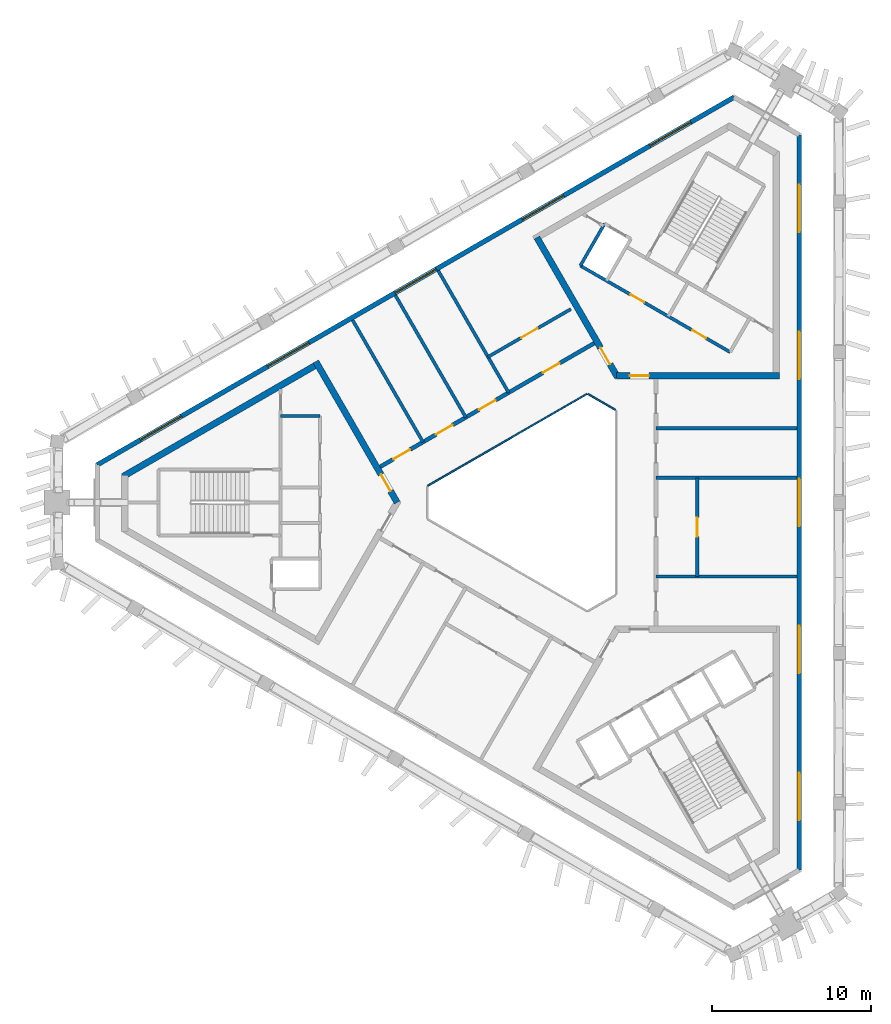
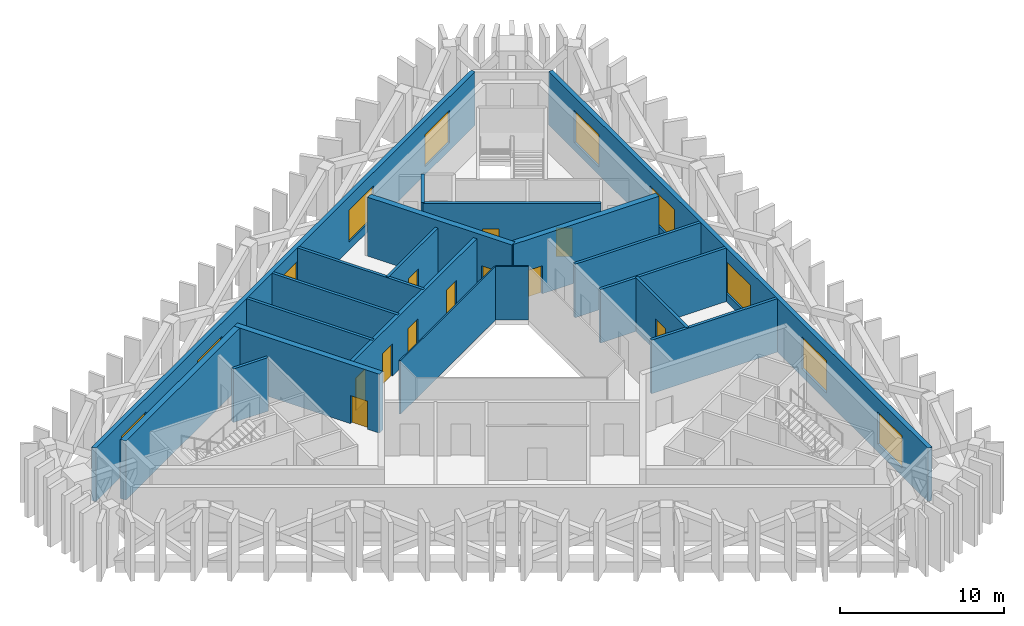
# One storey, part 5 of 8: 20 walls, 11 doors, 10 windows, 21 openings.
"""IFC4 building model written with IfcOpenShell, lengths in metres."""

from ifc_helpers import new_model, si_unit, direction, frame, frame_2d, origin, place, context, subcontext, project, spatial, rectangle, extrude, material, layer, layer_set, type_object, element, fill, save


model = new_model("IFC4")

# Units and contexts
model_context = context("Model", 3, precision=1e-05, world=origin(), true_north=direction((0.0, 1.0)))
body_context = subcontext(model_context, "Body", "Model", "MODEL_VIEW")
ifc_project = project(units=[si_unit("LENGTHUNIT", "METRE"), si_unit("AREAUNIT", "SQUARE_METRE"), si_unit("VOLUMEUNIT", "CUBIC_METRE"), si_unit("PLANEANGLEUNIT", "RADIAN"), si_unit("MASSUNIT", "GRAM", prefix="KILO")], contexts=[model_context])

# Site, building, storey
site_placement = place(None, origin())
site = spatial("IfcSite", under=ifc_project, at=site_placement, CompositionType="ELEMENT")
building_placement = place(site_placement, origin())
building = spatial("IfcBuilding", under=site, at=building_placement, Name="Jabali Bay Hotel Tower and Convention Centre", CompositionType="ELEMENT")
storey_placement = place(building_placement, frame((0.0, 0.0, 296.0)))
storey = spatial("IfcBuildingStorey", under=building, at=storey_placement, Name="L73", CompositionType="ELEMENT", Elevation=296.0)

# Walls
ifc_material_1 = material(Name="Fire-resistant glazing", Category="glass")
ifc_layer_1 = layer(ifc_material_1, 0.10009765625)
ifc_layer_set_1 = layer_set([ifc_layer_1], Name="Fire-resistant glazing")
wall_type_1 = type_object("IfcWallType", Name="Atrium glazed screen 100", PredefinedType="PARTITIONING", material=ifc_layer_set_1)
wall_1_placement = place(storey_placement, frame((79.530029296875, 85.84619140625, 0.0), z_axis=(0.0, 0.0, 1.0), x_axis=(-0.866041268327, 0.499972520799, 0.0)))
element("IfcWall", 1, at=wall_1_placement, inside=storey, type_object=wall_type_1, Name="Atrium screen 2 L73", PredefinedType="PARTITIONING", context=body_context, shape_type="SweptSolid", body=[
    extrude(rectangle(XDim=2.0, YDim=0.10009765625, at=frame_2d((1.0, 0.0))), origin(), (0.0, 0.0, 1.0), 4.0),
])
wall_2_placement = place(storey_placement, frame((77.738037109375, 86.84619140625, 0.0), z_axis=(0.0, 0.0, 1.0), x_axis=(-0.866026658274, -0.499997827154, 0.0)))
element("IfcWall", 2, at=wall_2_placement, inside=storey, type_object=wall_type_1, Name="Atrium screen 3 L73", PredefinedType="PARTITIONING", context=body_context, shape_type="SweptSolid", body=[
    extrude(rectangle(XDim=11.58837890625, YDim=0.10009765625, at=frame_2d((5.794189453125, 0.0))), origin(), (0.0, 0.0, 1.0), 4.0),
])
ifc_material_2 = material(Name="Concrete C40", Category="concrete")
ifc_layer_2 = layer(ifc_material_2, 0.199951171875)
ifc_layer_set_2 = layer_set([ifc_layer_2], Name="Concrete C40")
wall_type_2 = type_object("IfcWallType", Name="Core stair wall 200", PredefinedType="SOLIDWALL", material=ifc_layer_set_2)
wall_3_placement = place(storey_placement, frame((60.89990234375, 85.449951171875, 0.0), z_axis=(0.0, 0.0, 1.0), x_axis=(-1.0, 0.0, 0.0)))
element("IfcWall", 3, at=wall_3_placement, inside=storey, type_object=wall_type_2, Name="Core wall 0.0 L73", PredefinedType="SOLIDWALL", context=body_context, shape_type="SweptSolid", body=[
    extrude(rectangle(XDim=2.47998046875, YDim=0.199951171875, at=frame_2d((1.239990234375, 0.0))), origin(), (0.0, 0.0, 1.0), 4.0),
])
wall_4_placement = place(storey_placement, frame((77.330078125, 94.93603515625, 0.0), z_axis=(0.0, 0.0, 1.0), x_axis=(0.500038867431, 0.8660029625, 0.0)))
element("IfcWall", 4, at=wall_4_placement, inside=storey, type_object=wall_type_2, Name="Core wall 1.7 L73", PredefinedType="SOLIDWALL", context=body_context, shape_type="SweptSolid", body=[
    extrude(rectangle(XDim=3.050048828125, YDim=0.199951171875, at=frame_2d((1.52490234375, 0.0))), origin(), (0.0, 0.0, 1.0), 4.0),
])

# Wall, openings, doors
wall_5_placement = place(storey_placement, frame((86.769775390625, 89.48583984375, 0.0), z_axis=(0.0, 0.0, 1.0), x_axis=(-0.86601811187, 0.500012629753, 0.0)))
wall_5 = element("IfcWall", 5, at=wall_5_placement, inside=storey, type_object=wall_type_2, Name="Core wall 1.8 L73", PredefinedType="SOLIDWALL", context=body_context, shape_type="SweptSolid", body=[
    extrude(rectangle(XDim=10.900146484375, YDim=0.199951171875, at=frame_2d((5.4501953125, 0.0))), origin(), (0.0, 0.0, 1.0), 4.0),
])
opening_1_placement = place(wall_5_placement, frame((1.75, 0.0, 0.0)))
opening_1 = element("IfcOpeningElement", 6, at=opening_1_placement, cuts=wall_5, Name="Opening D1624", PredefinedType="OPENING", context=body_context, shape_type="SweptSolid", body=[
    extrude(rectangle(XDim=1.0, YDim=2.10009765625, at=frame_2d((0.5, 1.050048828125))), frame((0.0, 0.1103515625, 0.0), z_axis=(0.0, -1.0, 0.0), x_axis=(1.0, 0.0, 0.0)), (0.0, 0.0, 1.0), 0.220947265625),
])
opening_2_placement = place(wall_5_placement, frame((6.25, 0.0, 0.0)))
opening_2 = element("IfcOpeningElement", 7, at=opening_2_placement, cuts=wall_5, Name="Opening D1625", PredefinedType="OPENING", context=body_context, shape_type="SweptSolid", body=[
    extrude(rectangle(XDim=1.0, YDim=2.10009765625, at=frame_2d((0.5, 1.050048828125))), frame((0.0, 0.1103515625, 0.0), z_axis=(0.0, -1.0, 0.0), x_axis=(1.0, 0.0, 0.0)), (0.0, 0.0, 1.0), 0.220947265625),
])
ifc_material_3 = material(Name="Fire-rated steel door", Category="steel")
door_type_1 = type_object("IfcDoorType", Name="Core room door 1000 x 2100", OperationType="NOTDEFINED", PredefinedType="NOTDEFINED", material=ifc_material_3)
door_1_placement = place(opening_1_placement, origin())
door_1 = element("IfcDoor", 8, at=door_1_placement, inside=storey, type_object=door_type_1, Name="Core room door D1624", OperationType="SINGLE_SWING_RIGHT", OverallHeight=2.10009765625, OverallWidth=1.0, PredefinedType="NOTDEFINED", context=body_context, shape_type="SweptSolid", body=[
    extrude(rectangle(XDim=1.0, YDim=2.10009765625, at=frame_2d((0.5, 1.050048828125))), frame((0.0, 0.02490234375, 0.0), z_axis=(0.0, -1.0, 0.0), x_axis=(1.0, 0.0, 0.0)), (0.0, 0.0, 1.0), 0.050048828125),
])
fill(opening_1, door_1)
door_2_placement = place(opening_2_placement, origin())
door_2 = element("IfcDoor", 9, at=door_2_placement, inside=storey, type_object=door_type_1, Name="Core room door D1625", OperationType="SINGLE_SWING_RIGHT", OverallHeight=2.10009765625, OverallWidth=1.0, PredefinedType="NOTDEFINED", context=body_context, shape_type="SweptSolid", body=[
    extrude(rectangle(XDim=1.0, YDim=2.10009765625, at=frame_2d((0.5, 1.050048828125))), frame((0.0, 0.02490234375, 0.0), z_axis=(0.0, -1.0, 0.0), x_axis=(1.0, 0.0, 0.0)), (0.0, 0.0, 1.0), 0.050048828125),
])
fill(opening_2, door_2)

# Wall, opening, door
ifc_material_4 = material(Name="Concrete C60", Category="concrete")
ifc_layer_3 = layer(ifc_material_4, 0.39990234375)
ifc_layer_set_3 = layer_set([ifc_layer_3], Name="Concrete C60")
wall_type_3 = type_object("IfcWallType", Name="Core wall 400", PredefinedType="SHEAR", material=ifc_layer_set_3)
wall_6_placement = place(storey_placement, frame((65.76904296875, 80.0, 0.0), z_axis=(0.0, 0.0, 1.0), x_axis=(-0.50000177223, 0.866024380585, 0.0)))
wall_6 = element("IfcWall", 10, at=wall_6_placement, inside=storey, type_object=wall_type_3, Name="Core wall 1.1 L73", PredefinedType="SHEAR", context=body_context, shape_type="SweptSolid", body=[
    extrude(rectangle(XDim=10.2646484375, YDim=0.39990234375, at=frame_2d((5.13232421875, 0.0))), origin(), (0.0, 0.0, 1.0), 4.39990234375),
])
opening_3_placement = place(wall_6_placement, frame((0.83447265625, 0.0, 0.0)))
opening_3 = element("IfcOpeningElement", 11, at=opening_3_placement, cuts=wall_6, Name="Opening D1613", PredefinedType="OPENING", context=body_context, shape_type="SweptSolid", body=[
    extrude(rectangle(XDim=1.199951171875, YDim=2.10009765625, at=frame_2d((0.60009765625, 1.050048828125))), frame((0.0, 0.21044921875, 0.0), z_axis=(0.0, -1.0, 0.0), x_axis=(1.0, 0.0, 0.0)), (0.0, 0.0, 1.0), 0.4208984375),
])
door_type_2 = type_object("IfcDoorType", Name="Corridor end fire door 1200 x 2100", OperationType="NOTDEFINED", PredefinedType="NOTDEFINED", material=ifc_material_3)
door_3_placement = place(opening_3_placement, origin())
door_3 = element("IfcDoor", 12, at=door_3_placement, inside=storey, type_object=door_type_2, Name="Corridor end fire door D1613", OperationType="SINGLE_SWING_RIGHT", OverallHeight=2.10009765625, OverallWidth=1.199951171875, PredefinedType="NOTDEFINED", context=body_context, shape_type="SweptSolid", body=[
    extrude(rectangle(XDim=1.199951171875, YDim=2.10009765625, at=frame_2d((0.60009765625, 1.050048828125))), frame((0.0, 0.02490234375, 0.0), z_axis=(0.0, -1.0, 0.0), x_axis=(1.0, 0.0, 0.0)), (0.0, 0.0, 1.0), 0.050048828125),
])
fill(opening_3, door_3)

# Wall
wall_7_placement = place(storey_placement, frame((60.73681640625, 88.716064453125, 0.0), z_axis=(0.0, 0.0, 1.0), x_axis=(-0.866028812667, -0.499994095595, 0.0)))
element("IfcWall", 13, at=wall_7_placement, inside=storey, type_object=wall_type_3, Name="Core wall 1.2 L73", PredefinedType="SHEAR", context=body_context, shape_type="SweptSolid", body=[
    extrude(rectangle(XDim=14.133544921875, YDim=0.39990234375, at=frame_2d((7.06689453125, 0.0))), origin(), (0.0, 0.0, 1.0), 4.39990234375),
])

# Wall, opening, door
wall_8_placement = place(storey_placement, frame((79.615478515625, 87.994140625, 0.0), z_axis=(0.0, 0.0, 1.0), x_axis=(1.0, 0.0, 0.0)))
wall_8 = element("IfcWall", 14, at=wall_8_placement, inside=storey, type_object=wall_type_3, Name="Core wall 2.1 L73", PredefinedType="SHEAR", context=body_context, shape_type="SweptSolid", body=[
    extrude(rectangle(XDim=10.264404296875, YDim=0.39990234375, at=frame_2d((5.13232421875, 0.0))), origin(), (0.0, 0.0, 1.0), 4.39990234375),
])
opening_4_placement = place(wall_8_placement, frame((0.83447265625, 0.0, 0.0)))
opening_4 = element("IfcOpeningElement", 15, at=opening_4_placement, cuts=wall_8, Name="Opening D1622", PredefinedType="OPENING", context=body_context, shape_type="SweptSolid", body=[
    extrude(rectangle(XDim=1.199951171875, YDim=2.10009765625, at=frame_2d((0.60009765625, 1.050048828125))), frame((0.0, 0.21044921875, 0.0), z_axis=(0.0, -1.0, 0.0), x_axis=(1.0, 0.0, 0.0)), (0.0, 0.0, 1.0), 0.4208984375),
])
door_4_placement = place(opening_4_placement, origin())
door_4 = element("IfcDoor", 16, at=door_4_placement, inside=storey, type_object=door_type_2, Name="Corridor end fire door D1622", OperationType="SINGLE_SWING_RIGHT", OverallHeight=2.10009765625, OverallWidth=1.199951171875, PredefinedType="NOTDEFINED", context=body_context, shape_type="SweptSolid", body=[
    extrude(rectangle(XDim=1.199951171875, YDim=2.10009765625, at=frame_2d((0.60009765625, 1.050048828125))), frame((0.0, 0.02490234375, 0.0), z_axis=(0.0, -1.0, 0.0), x_axis=(1.0, 0.0, 0.0)), (0.0, 0.0, 1.0), 0.050048828125),
])
fill(opening_4, door_4)

wall_9_placement = place(storey_placement, frame((74.583251953125, 96.71044921875, 0.0), z_axis=(0.0, 0.0, 1.0), x_axis=(0.499987488796, -0.866032627011, 0.0)))
wall_9 = element("IfcWall", 17, at=wall_9_placement, inside=storey, type_object=wall_type_3, Name="Core wall 2.5 L73", PredefinedType="SHEAR", context=body_context, shape_type="SweptSolid", body=[
    extrude(rectangle(XDim=10.179931640625, YDim=0.39990234375, at=frame_2d((5.08984375, 0.0))), origin(), (0.0, 0.0, 1.0), 4.39990234375),
])
opening_5_placement = place(wall_9_placement, frame((8.030029296875, 0.0, 0.0)))
opening_5 = element("IfcOpeningElement", 18, at=opening_5_placement, cuts=wall_9, Name="Opening D1623", PredefinedType="OPENING", context=body_context, shape_type="SweptSolid", body=[
    extrude(rectangle(XDim=1.199951171875, YDim=2.10009765625, at=frame_2d((0.60009765625, 1.050048828125))), frame((0.0, 0.21044921875, 0.0), z_axis=(0.0, -1.0, 0.0), x_axis=(1.0, 0.0, 0.0)), (0.0, 0.0, 1.0), 0.4208984375),
])
door_5_placement = place(opening_5_placement, origin())
door_5 = element("IfcDoor", 19, at=door_5_placement, inside=storey, type_object=door_type_2, Name="Corridor end fire door D1623", OperationType="SINGLE_SWING_LEFT", OverallHeight=2.10009765625, OverallWidth=1.199951171875, PredefinedType="NOTDEFINED", context=body_context, shape_type="SweptSolid", body=[
    extrude(rectangle(XDim=1.199951171875, YDim=2.10009765625, at=frame_2d((0.60009765625, 1.050048828125))), frame((0.0, 0.02490234375, 0.0), z_axis=(0.0, -1.0, 0.0), x_axis=(1.0, 0.0, 0.0)), (0.0, 0.0, 1.0), 0.050048828125),
])
fill(opening_5, door_5)

# Wall, openings, doors
ifc_layer_4 = layer(ifc_material_4, 0.25)
ifc_layer_set_4 = layer_set([ifc_layer_4], Name="Concrete C60")
wall_type_4 = type_object("IfcWallType", Name="Corridor wall 250", PredefinedType="SHEAR", material=ifc_layer_set_4)
wall_10_placement = place(storey_placement, frame((78.199951171875, 90.0458984375, 0.0), z_axis=(0.0, 0.0, 1.0), x_axis=(-0.866026492143, -0.499998114903, 0.0)))
wall_10 = element("IfcWall", 20, at=wall_10_placement, inside=storey, type_object=wall_type_4, Name="Corridor wall 2 L73", PredefinedType="SHEAR", context=body_context, shape_type="SweptSolid", body=[
    extrude(rectangle(XDim=15.58837890625, YDim=0.25, at=frame_2d((7.794189453125, 0.0))), origin(), (0.0, 0.0, 1.0), 4.0),
])
opening_6_placement = place(wall_10_placement, frame((2.517578125, 0.0, 0.0)))
opening_6 = element("IfcOpeningElement", 21, at=opening_6_placement, cuts=wall_10, Name="Opening 7306", PredefinedType="OPENING", context=body_context, shape_type="SweptSolid", body=[
    extrude(rectangle(XDim=1.199951171875, YDim=2.39990234375, at=frame_2d((0.60009765625, 1.199951171875))), frame((0.0, 0.135498046875, 0.0), z_axis=(0.0, -1.0, 0.0), x_axis=(1.0, 0.0, 0.0)), (0.0, 0.0, 1.0), 0.27099609375),
])
opening_7_placement = place(wall_10_placement, frame((7.194091796875, 0.0, 0.0)))
opening_7 = element("IfcOpeningElement", 22, at=opening_7_placement, cuts=wall_10, Name="Opening 7308", PredefinedType="OPENING", context=body_context, shape_type="SweptSolid", body=[
    extrude(rectangle(XDim=1.199951171875, YDim=2.39990234375, at=frame_2d((0.60009765625, 1.199951171875))), frame((0.0, 0.135498046875, 0.0), z_axis=(0.0, -1.0, 0.0), x_axis=(1.0, 0.0, 0.0)), (0.0, 0.0, 1.0), 0.27099609375),
])
opening_8_placement = place(wall_10_placement, frame((10.31201171875, 0.0, 0.0)))
opening_8 = element("IfcOpeningElement", 23, at=opening_8_placement, cuts=wall_10, Name="Opening 7309", PredefinedType="OPENING", context=body_context, shape_type="SweptSolid", body=[
    extrude(rectangle(XDim=1.199951171875, YDim=2.39990234375, at=frame_2d((0.60009765625, 1.199951171875))), frame((0.0, 0.135498046875, 0.0), z_axis=(0.0, -1.0, 0.0), x_axis=(1.0, 0.0, 0.0)), (0.0, 0.0, 1.0), 0.27099609375),
])
opening_9_placement = place(wall_10_placement, frame((13.4296875, 0.0, 0.0)))
opening_9 = element("IfcOpeningElement", 24, at=opening_9_placement, cuts=wall_10, Name="Opening 7310", PredefinedType="OPENING", context=body_context, shape_type="SweptSolid", body=[
    extrude(rectangle(XDim=1.199951171875, YDim=2.39990234375, at=frame_2d((0.60009765625, 1.199951171875))), frame((0.0, 0.135498046875, 0.0), z_axis=(0.0, -1.0, 0.0), x_axis=(1.0, 0.0, 0.0)), (0.0, 0.0, 1.0), 0.27099609375),
])
ifc_material_5 = material(Name="Steel Q355B", Category="steel")
door_type_3 = type_object("IfcDoorType", Name="Plant room door 1200 x 2400", OperationType="NOTDEFINED", PredefinedType="NOTDEFINED", material=ifc_material_5)
door_6_placement = place(opening_7_placement, origin())
door_6 = element("IfcDoor", 25, at=door_6_placement, inside=storey, type_object=door_type_3, Name="Door 7308", OperationType="SINGLE_SWING_RIGHT", OverallHeight=2.39990234375, OverallWidth=1.199951171875, PredefinedType="NOTDEFINED", context=body_context, shape_type="SweptSolid", body=[
    extrude(rectangle(XDim=1.199951171875, YDim=2.39990234375, at=frame_2d((0.60009765625, 1.199951171875))), frame((0.0, 0.02490234375, 0.0), z_axis=(0.0, -1.0, 0.0), x_axis=(1.0, 0.0, 0.0)), (0.0, 0.0, 1.0), 0.050048828125),
])
fill(opening_7, door_6)
door_7_placement = place(opening_8_placement, origin())
door_7 = element("IfcDoor", 26, at=door_7_placement, inside=storey, type_object=door_type_3, Name="Door 7309", OperationType="SINGLE_SWING_RIGHT", OverallHeight=2.39990234375, OverallWidth=1.199951171875, PredefinedType="NOTDEFINED", context=body_context, shape_type="SweptSolid", body=[
    extrude(rectangle(XDim=1.199951171875, YDim=2.39990234375, at=frame_2d((0.60009765625, 1.199951171875))), frame((0.0, 0.02490234375, 0.0), z_axis=(0.0, -1.0, 0.0), x_axis=(1.0, 0.0, 0.0)), (0.0, 0.0, 1.0), 0.050048828125),
])
fill(opening_8, door_7)
door_8_placement = place(opening_9_placement, origin())
door_8 = element("IfcDoor", 27, at=door_8_placement, inside=storey, type_object=door_type_3, Name="Door 7310", OperationType="SINGLE_SWING_RIGHT", OverallHeight=2.39990234375, OverallWidth=1.199951171875, PredefinedType="NOTDEFINED", context=body_context, shape_type="SweptSolid", body=[
    extrude(rectangle(XDim=1.199951171875, YDim=2.39990234375, at=frame_2d((0.60009765625, 1.199951171875))), frame((0.0, 0.02490234375, 0.0), z_axis=(0.0, -1.0, 0.0), x_axis=(1.0, 0.0, 0.0)), (0.0, 0.0, 1.0), 0.050048828125),
])
fill(opening_9, door_8)
door_type_4 = type_object("IfcDoorType", Name="Refuge hall door 1200 x 2400", OperationType="NOTDEFINED", PredefinedType="NOTDEFINED", material=ifc_material_5)
door_9_placement = place(opening_6_placement, origin())
door_9 = element("IfcDoor", 28, at=door_9_placement, inside=storey, type_object=door_type_4, Name="Door 7306", OperationType="SINGLE_SWING_LEFT", OverallHeight=2.39990234375, OverallWidth=1.199951171875, PredefinedType="NOTDEFINED", context=body_context, shape_type="SweptSolid", body=[
    extrude(rectangle(XDim=1.199951171875, YDim=2.39990234375, at=frame_2d((0.60009765625, 1.199951171875))), frame((0.0, 0.02490234375, 0.0), z_axis=(0.0, -1.0, 0.0), x_axis=(1.0, 0.0, 0.0)), (0.0, 0.0, 1.0), 0.050048828125),
])
fill(opening_6, door_9)

# Wall, openings, windows
ifc_layer_5 = layer(ifc_material_2, 0.300048828125)
ifc_layer_set_5 = layer_set([ifc_layer_5], Name="Concrete C40")
wall_type_5 = type_object("IfcWallType", Name="External wall 300", PredefinedType="SOLIDWALL", material=ifc_layer_set_5)
wall_11_placement = place(storey_placement, frame((91.129638671875, 103.19287109375, 0.0), z_axis=(0.0, 0.0, 1.0), x_axis=(0.0, -1.0, 0.0)))
wall_11 = element("IfcWall", 29, at=wall_11_placement, inside=storey, type_object=wall_type_5, Name="External wall east face L73", PredefinedType="SOLIDWALL", context=body_context, shape_type="SweptSolid", body=[
    extrude(rectangle(XDim=46.3857421875, YDim=0.300048828125, at=frame_2d((23.19287109375, 0.0))), origin(), (0.0, 0.0, 1.0), 4.0),
])
opening_10_placement = place(wall_11_placement, frame((3.138671875, 0.0, 0.60009765625)))
opening_10 = element("IfcOpeningElement", 30, at=opening_10_placement, cuts=wall_11, Name="Opening W2", PredefinedType="OPENING", context=body_context, shape_type="SweptSolid", body=[
    extrude(rectangle(XDim=3.0, YDim=2.39990234375, at=frame_2d((1.5, 1.199951171875))), frame((0.0, 0.16064453125, 0.0), z_axis=(0.0, -1.0, 0.0), x_axis=(1.0, 0.0, 0.0)), (0.0, 0.0, 1.0), 0.321044921875),
])
opening_11_placement = place(wall_11_placement, frame((12.415771484375, 0.0, 0.60009765625)))
opening_11 = element("IfcOpeningElement", 31, at=opening_11_placement, cuts=wall_11, Name="Opening W2", PredefinedType="OPENING", context=body_context, shape_type="SweptSolid", body=[
    extrude(rectangle(XDim=3.0, YDim=2.39990234375, at=frame_2d((1.5, 1.199951171875))), frame((0.0, 0.16064453125, 0.0), z_axis=(0.0, -1.0, 0.0), x_axis=(1.0, 0.0, 0.0)), (0.0, 0.0, 1.0), 0.321044921875),
])
opening_12_placement = place(wall_11_placement, frame((21.69287109375, 0.0, 0.60009765625)))
opening_12 = element("IfcOpeningElement", 32, at=opening_12_placement, cuts=wall_11, Name="Opening W2", PredefinedType="OPENING", context=body_context, shape_type="SweptSolid", body=[
    extrude(rectangle(XDim=3.0, YDim=2.39990234375, at=frame_2d((1.5, 1.199951171875))), frame((0.0, 0.16064453125, 0.0), z_axis=(0.0, -1.0, 0.0), x_axis=(1.0, 0.0, 0.0)), (0.0, 0.0, 1.0), 0.321044921875),
])
opening_13_placement = place(wall_11_placement, frame((30.97021484375, 0.0, 0.60009765625)))
opening_13 = element("IfcOpeningElement", 33, at=opening_13_placement, cuts=wall_11, Name="Opening W2", PredefinedType="OPENING", context=body_context, shape_type="SweptSolid", body=[
    extrude(rectangle(XDim=3.0, YDim=2.39990234375, at=frame_2d((1.5, 1.199951171875))), frame((0.0, 0.16064453125, 0.0), z_axis=(0.0, -1.0, 0.0), x_axis=(1.0, 0.0, 0.0)), (0.0, 0.0, 1.0), 0.321044921875),
])
opening_14_placement = place(wall_11_placement, frame((40.247314453125, 0.0, 0.60009765625)))
opening_14 = element("IfcOpeningElement", 34, at=opening_14_placement, cuts=wall_11, Name="Opening W2", PredefinedType="OPENING", context=body_context, shape_type="SweptSolid", body=[
    extrude(rectangle(XDim=3.0, YDim=2.39990234375, at=frame_2d((1.5, 1.199951171875))), frame((0.0, 0.16064453125, 0.0), z_axis=(0.0, -1.0, 0.0), x_axis=(1.0, 0.0, 0.0)), (0.0, 0.0, 1.0), 0.321044921875),
])
ifc_material_6 = material(Name="Aluminium", Category="aluminium")
window_type = type_object("IfcWindowType", Name="Louvred ventilation panel 3000 x 2400", PartitioningType="SINGLE_PANEL", PredefinedType="WINDOW", material=ifc_material_6)
window_1_placement = place(opening_10_placement, origin())
window_1 = element("IfcWindow", 35, at=window_1_placement, inside=storey, type_object=window_type, Name="Louvred panel 1", OverallHeight=2.39990234375, OverallWidth=3.0, PartitioningType="SINGLE_PANEL", PredefinedType="WINDOW", context=body_context, shape_type="SweptSolid", body=[
    extrude(rectangle(XDim=3.0, YDim=2.39990234375, at=frame_2d((1.5, 1.199951171875))), frame((0.0, 0.030029296875, 0.0), z_axis=(0.0, -1.0, 0.0), x_axis=(1.0, 0.0, 0.0)), (0.0, 0.0, 1.0), 0.06005859375),
])
fill(opening_10, window_1)
window_2_placement = place(opening_11_placement, origin())
window_2 = element("IfcWindow", 36, at=window_2_placement, inside=storey, type_object=window_type, Name="Louvred panel 2", OverallHeight=2.39990234375, OverallWidth=3.0, PartitioningType="SINGLE_PANEL", PredefinedType="WINDOW", context=body_context, shape_type="SweptSolid", body=[
    extrude(rectangle(XDim=3.0, YDim=2.39990234375, at=frame_2d((1.5, 1.199951171875))), frame((0.0, 0.030029296875, 0.0), z_axis=(0.0, -1.0, 0.0), x_axis=(1.0, 0.0, 0.0)), (0.0, 0.0, 1.0), 0.06005859375),
])
fill(opening_11, window_2)
window_3_placement = place(opening_12_placement, origin())
window_3 = element("IfcWindow", 37, at=window_3_placement, inside=storey, type_object=window_type, Name="Louvred panel 3", OverallHeight=2.39990234375, OverallWidth=3.0, PartitioningType="SINGLE_PANEL", PredefinedType="WINDOW", context=body_context, shape_type="SweptSolid", body=[
    extrude(rectangle(XDim=3.0, YDim=2.39990234375, at=frame_2d((1.5, 1.199951171875))), frame((0.0, 0.030029296875, 0.0), z_axis=(0.0, -1.0, 0.0), x_axis=(1.0, 0.0, 0.0)), (0.0, 0.0, 1.0), 0.06005859375),
])
fill(opening_12, window_3)
window_4_placement = place(opening_13_placement, origin())
window_4 = element("IfcWindow", 38, at=window_4_placement, inside=storey, type_object=window_type, Name="Louvred panel 4", OverallHeight=2.39990234375, OverallWidth=3.0, PartitioningType="SINGLE_PANEL", PredefinedType="WINDOW", context=body_context, shape_type="SweptSolid", body=[
    extrude(rectangle(XDim=3.0, YDim=2.39990234375, at=frame_2d((1.5, 1.199951171875))), frame((0.0, 0.030029296875, 0.0), z_axis=(0.0, -1.0, 0.0), x_axis=(1.0, 0.0, 0.0)), (0.0, 0.0, 1.0), 0.06005859375),
])
fill(opening_13, window_4)
window_5_placement = place(opening_14_placement, origin())
window_5 = element("IfcWindow", 39, at=window_5_placement, inside=storey, type_object=window_type, Name="Louvred panel 5", OverallHeight=2.39990234375, OverallWidth=3.0, PartitioningType="SINGLE_PANEL", PredefinedType="WINDOW", context=body_context, shape_type="SweptSolid", body=[
    extrude(rectangle(XDim=3.0, YDim=2.39990234375, at=frame_2d((1.5, 1.199951171875))), frame((0.0, 0.030029296875, 0.0), z_axis=(0.0, -1.0, 0.0), x_axis=(1.0, 0.0, 0.0)), (0.0, 0.0, 1.0), 0.06005859375),
])
fill(opening_14, window_5)

wall_12_placement = place(storey_placement, frame((46.849365234375, 82.372314453125, 0.0), z_axis=(0.0, 0.0, 1.0), x_axis=(0.86602624246, 0.499998547369, 0.0)))
wall_12 = element("IfcWall", 40, at=wall_12_placement, inside=storey, type_object=wall_type_5, Name="External wall north-west face L73", PredefinedType="SOLIDWALL", context=body_context, shape_type="SweptSolid", body=[
    extrude(rectangle(XDim=46.385986328125, YDim=0.300048828125, at=frame_2d((23.19287109375, 0.0))), origin(), (0.0, 0.0, 1.0), 4.0),
])
opening_15_placement = place(wall_12_placement, frame((3.138671875, 0.0, 0.60009765625)))
opening_15 = element("IfcOpeningElement", 41, at=opening_15_placement, cuts=wall_12, Name="Opening W2", PredefinedType="OPENING", context=body_context, shape_type="SweptSolid", body=[
    extrude(rectangle(XDim=3.0, YDim=2.39990234375, at=frame_2d((1.5, 1.199951171875))), frame((0.0, 0.16064453125, 0.0), z_axis=(0.0, -1.0, 0.0), x_axis=(1.0, 0.0, 0.0)), (0.0, 0.0, 1.0), 0.321044921875),
])
opening_16_placement = place(wall_12_placement, frame((12.415771484375, 0.0, 0.60009765625)))
opening_16 = element("IfcOpeningElement", 42, at=opening_16_placement, cuts=wall_12, Name="Opening W2", PredefinedType="OPENING", context=body_context, shape_type="SweptSolid", body=[
    extrude(rectangle(XDim=3.0, YDim=2.39990234375, at=frame_2d((1.5, 1.199951171875))), frame((0.0, 0.16064453125, 0.0), z_axis=(0.0, -1.0, 0.0), x_axis=(1.0, 0.0, 0.0)), (0.0, 0.0, 1.0), 0.321044921875),
])
opening_17_placement = place(wall_12_placement, frame((21.69287109375, 0.0, 0.60009765625)))
opening_17 = element("IfcOpeningElement", 43, at=opening_17_placement, cuts=wall_12, Name="Opening W2", PredefinedType="OPENING", context=body_context, shape_type="SweptSolid", body=[
    extrude(rectangle(XDim=3.0, YDim=2.39990234375, at=frame_2d((1.5, 1.199951171875))), frame((0.0, 0.16064453125, 0.0), z_axis=(0.0, -1.0, 0.0), x_axis=(1.0, 0.0, 0.0)), (0.0, 0.0, 1.0), 0.321044921875),
])
opening_18_placement = place(wall_12_placement, frame((30.97021484375, 0.0, 0.60009765625)))
opening_18 = element("IfcOpeningElement", 44, at=opening_18_placement, cuts=wall_12, Name="Opening W2", PredefinedType="OPENING", context=body_context, shape_type="SweptSolid", body=[
    extrude(rectangle(XDim=3.0, YDim=2.39990234375, at=frame_2d((1.5, 1.199951171875))), frame((0.0, 0.16064453125, 0.0), z_axis=(0.0, -1.0, 0.0), x_axis=(1.0, 0.0, 0.0)), (0.0, 0.0, 1.0), 0.321044921875),
])
opening_19_placement = place(wall_12_placement, frame((40.247314453125, 0.0, 0.60009765625)))
opening_19 = element("IfcOpeningElement", 45, at=opening_19_placement, cuts=wall_12, Name="Opening W2", PredefinedType="OPENING", context=body_context, shape_type="SweptSolid", body=[
    extrude(rectangle(XDim=3.0, YDim=2.39990234375, at=frame_2d((1.5, 1.199951171875))), frame((0.0, 0.16064453125, 0.0), z_axis=(0.0, -1.0, 0.0), x_axis=(1.0, 0.0, 0.0)), (0.0, 0.0, 1.0), 0.321044921875),
])
window_6_placement = place(opening_15_placement, origin())
window_6 = element("IfcWindow", 46, at=window_6_placement, inside=storey, type_object=window_type, Name="Louvred panel 1", OverallHeight=2.39990234375, OverallWidth=3.0, PartitioningType="SINGLE_PANEL", PredefinedType="WINDOW", context=body_context, shape_type="SweptSolid", body=[
    extrude(rectangle(XDim=3.0, YDim=2.39990234375, at=frame_2d((1.5, 1.199951171875))), frame((0.0, 0.030029296875, 0.0), z_axis=(0.0, -1.0, 0.0), x_axis=(1.0, 0.0, 0.0)), (0.0, 0.0, 1.0), 0.06005859375),
])
fill(opening_15, window_6)
window_7_placement = place(opening_16_placement, origin())
window_7 = element("IfcWindow", 47, at=window_7_placement, inside=storey, type_object=window_type, Name="Louvred panel 2", OverallHeight=2.39990234375, OverallWidth=3.0, PartitioningType="SINGLE_PANEL", PredefinedType="WINDOW", context=body_context, shape_type="SweptSolid", body=[
    extrude(rectangle(XDim=3.0, YDim=2.39990234375, at=frame_2d((1.5, 1.199951171875))), frame((0.0, 0.030029296875, 0.0), z_axis=(0.0, -1.0, 0.0), x_axis=(1.0, 0.0, 0.0)), (0.0, 0.0, 1.0), 0.06005859375),
])
fill(opening_16, window_7)
window_8_placement = place(opening_17_placement, origin())
window_8 = element("IfcWindow", 48, at=window_8_placement, inside=storey, type_object=window_type, Name="Louvred panel 3", OverallHeight=2.39990234375, OverallWidth=3.0, PartitioningType="SINGLE_PANEL", PredefinedType="WINDOW", context=body_context, shape_type="SweptSolid", body=[
    extrude(rectangle(XDim=3.0, YDim=2.39990234375, at=frame_2d((1.5, 1.199951171875))), frame((0.0, 0.030029296875, 0.0), z_axis=(0.0, -1.0, 0.0), x_axis=(1.0, 0.0, 0.0)), (0.0, 0.0, 1.0), 0.06005859375),
])
fill(opening_17, window_8)
window_9_placement = place(opening_18_placement, origin())
window_9 = element("IfcWindow", 49, at=window_9_placement, inside=storey, type_object=window_type, Name="Louvred panel 4", OverallHeight=2.39990234375, OverallWidth=3.0, PartitioningType="SINGLE_PANEL", PredefinedType="WINDOW", context=body_context, shape_type="SweptSolid", body=[
    extrude(rectangle(XDim=3.0, YDim=2.39990234375, at=frame_2d((1.5, 1.199951171875))), frame((0.0, 0.030029296875, 0.0), z_axis=(0.0, -1.0, 0.0), x_axis=(1.0, 0.0, 0.0)), (0.0, 0.0, 1.0), 0.06005859375),
])
fill(opening_18, window_9)
window_10_placement = place(opening_19_placement, origin())
window_10 = element("IfcWindow", 50, at=window_10_placement, inside=storey, type_object=window_type, Name="Louvred panel 5", OverallHeight=2.39990234375, OverallWidth=3.0, PartitioningType="SINGLE_PANEL", PredefinedType="WINDOW", context=body_context, shape_type="SweptSolid", body=[
    extrude(rectangle(XDim=3.0, YDim=2.39990234375, at=frame_2d((1.5, 1.199951171875))), frame((0.0, 0.030029296875, 0.0), z_axis=(0.0, -1.0, 0.0), x_axis=(1.0, 0.0, 0.0)), (0.0, 0.0, 1.0), 0.06005859375),
])
fill(opening_19, window_10)

# Walls
ifc_material_7 = material(Name="Plasterboard on steel stud", Category="steel")
ifc_layer_6 = layer(ifc_material_7, 0.199951171875)
ifc_layer_set_6 = layer_set([ifc_layer_6], Name="Plasterboard on steel stud")
wall_type_6 = type_object("IfcWallType", Name="Partition 200 plant", PredefinedType="PARTITIONING", material=ifc_layer_set_6)
wall_13_placement = place(storey_placement, frame((90.980712890625, 84.676513671875, 0.0), z_axis=(0.0, 0.0, 1.0), x_axis=(-1.0, 0.0, 0.0)))
element("IfcWall", 51, at=wall_13_placement, inside=storey, type_object=wall_type_6, Name="Partition P04 L73 004", PredefinedType="PARTITIONING", context=body_context, shape_type="SweptSolid", body=[
    extrude(rectangle(XDim=8.880615234375, YDim=0.199951171875, at=frame_2d((4.4404296875, 0.0))), origin(), (0.0, 0.0, 1.0), 4.0),
])
wall_14_placement = place(storey_placement, frame((65.65966796875, 93.060302734375, 0.0), z_axis=(0.0, 0.0, 1.0), x_axis=(0.50000642917, -0.866021691869, 0.0)))
element("IfcWall", 52, at=wall_14_placement, inside=storey, type_object=wall_type_6, Name="Partition P04 L73 007", PredefinedType="PARTITIONING", context=body_context, shape_type="SweptSolid", body=[
    extrude(rectangle(XDim=8.880859375, YDim=0.199951171875, at=frame_2d((4.4404296875, 0.0))), origin(), (0.0, 0.0, 1.0), 4.0),
])
wall_15_placement = place(storey_placement, frame((62.959716796875, 91.50146484375, 0.0), z_axis=(0.0, 0.0, 1.0), x_axis=(0.499985810667, -0.866033595845, 0.0)))
element("IfcWall", 53, at=wall_15_placement, inside=storey, type_object=wall_type_6, Name="Partition P04 L73 008", PredefinedType="PARTITIONING", context=body_context, shape_type="SweptSolid", body=[
    extrude(rectangle(XDim=8.880615234375, YDim=0.199951171875, at=frame_2d((4.4404296875, 0.0))), origin(), (0.0, 0.0, 1.0), 4.0),
])
ifc_layer_7 = layer(ifc_material_7, 0.199951171875)
ifc_layer_set_7 = layer_set([ifc_layer_7], Name="Plasterboard on steel stud")
wall_type_7 = type_object("IfcWallType", Name="Partition 200 refuge", PredefinedType="PARTITIONING", material=ifc_layer_set_7)
wall_16_placement = place(storey_placement, frame((90.980712890625, 75.323486328125, 0.0), z_axis=(0.0, 0.0, 1.0), x_axis=(-1.0, 0.0, 0.0)))
element("IfcWall", 54, at=wall_16_placement, inside=storey, type_object=wall_type_7, Name="Partition P05 L73 001", PredefinedType="PARTITIONING", context=body_context, shape_type="SweptSolid", body=[
    extrude(rectangle(XDim=8.880615234375, YDim=0.199951171875, at=frame_2d((4.4404296875, 0.0))), origin(), (0.0, 0.0, 1.0), 4.0),
])

# Wall, opening, door
wall_17_placement = place(storey_placement, frame((84.699951171875, 75.323486328125, 0.0), z_axis=(0.0, 0.0, 1.0), x_axis=(0.0, 1.0, 0.0)))
wall_17 = element("IfcWall", 55, at=wall_17_placement, inside=storey, type_object=wall_type_7, Name="Partition P05 L73 002", PredefinedType="PARTITIONING", context=body_context, shape_type="SweptSolid", body=[
    extrude(rectangle(XDim=6.2353515625, YDim=0.199951171875, at=frame_2d((3.11767578125, 0.0))), origin(), (0.0, 0.0, 1.0), 4.0),
])
opening_20_placement = place(wall_17_placement, frame((2.51806640625, 0.0, 0.0)))
opening_20 = element("IfcOpeningElement", 56, at=opening_20_placement, cuts=wall_17, Name="Opening 7303", PredefinedType="OPENING", context=body_context, shape_type="SweptSolid", body=[
    extrude(rectangle(XDim=1.199951171875, YDim=2.39990234375, at=frame_2d((0.60009765625, 1.199951171875))), frame((0.0, 0.1103515625, 0.0), z_axis=(0.0, -1.0, 0.0), x_axis=(1.0, 0.0, 0.0)), (0.0, 0.0, 1.0), 0.220947265625),
])
door_10_placement = place(opening_20_placement, origin())
door_10 = element("IfcDoor", 57, at=door_10_placement, inside=storey, type_object=door_type_4, Name="Door 7303", OperationType="SINGLE_SWING_RIGHT", OverallHeight=2.39990234375, OverallWidth=1.199951171875, PredefinedType="NOTDEFINED", context=body_context, shape_type="SweptSolid", body=[
    extrude(rectangle(XDim=1.199951171875, YDim=2.39990234375, at=frame_2d((0.60009765625, 1.199951171875))), frame((0.0, 0.02490234375, 0.0), z_axis=(0.0, -1.0, 0.0), x_axis=(1.0, 0.0, 0.0)), (0.0, 0.0, 1.0), 0.050048828125),
])
fill(opening_20, door_10)

# Wall
wall_18_placement = place(storey_placement, frame((90.980712890625, 81.558837890625, 0.0), z_axis=(0.0, 0.0, 1.0), x_axis=(-1.0, 0.0, 0.0)))
element("IfcWall", 58, at=wall_18_placement, inside=storey, type_object=wall_type_7, Name="Partition P05 L73 003", PredefinedType="PARTITIONING", context=body_context, shape_type="SweptSolid", body=[
    extrude(rectangle(XDim=8.880615234375, YDim=0.199951171875, at=frame_2d((4.4404296875, 0.0))), origin(), (0.0, 0.0, 1.0), 4.0),
])

# Wall, opening, door
wall_19_placement = place(storey_placement, frame((76.7275390625, 92.197998046875, 0.0), z_axis=(0.0, 0.0, 1.0), x_axis=(-0.866029326177, -0.499993206155, 0.0)))
wall_19 = element("IfcWall", 59, at=wall_19_placement, inside=storey, type_object=wall_type_7, Name="Partition P05 L73 005", PredefinedType="PARTITIONING", context=body_context, shape_type="SweptSolid", body=[
    extrude(rectangle(XDim=6.0361328125, YDim=0.199951171875, at=frame_2d((3.01806640625, 0.0))), origin(), (0.0, 0.0, 1.0), 4.0),
])
opening_21_placement = place(wall_19_placement, frame((2.41796875, 0.0, 0.0)))
opening_21 = element("IfcOpeningElement", 60, at=opening_21_placement, cuts=wall_19, Name="Opening 7307", PredefinedType="OPENING", context=body_context, shape_type="SweptSolid", body=[
    extrude(rectangle(XDim=1.199951171875, YDim=2.39990234375, at=frame_2d((0.60009765625, 1.199951171875))), frame((0.0, 0.1103515625, 0.0), z_axis=(0.0, -1.0, 0.0), x_axis=(1.0, 0.0, 0.0)), (0.0, 0.0, 1.0), 0.220947265625),
])
door_11_placement = place(opening_21_placement, origin())
door_11 = element("IfcDoor", 61, at=door_11_placement, inside=storey, type_object=door_type_4, Name="Door 7307", OperationType="SINGLE_SWING_LEFT", OverallHeight=2.39990234375, OverallWidth=1.199951171875, PredefinedType="NOTDEFINED", context=body_context, shape_type="SweptSolid", body=[
    extrude(rectangle(XDim=1.199951171875, YDim=2.39990234375, at=frame_2d((0.60009765625, 1.199951171875))), frame((0.0, 0.02490234375, 0.0), z_axis=(0.0, -1.0, 0.0), x_axis=(1.0, 0.0, 0.0)), (0.0, 0.0, 1.0), 0.050048828125),
])
fill(opening_21, door_11)

# Wall
wall_20_placement = place(storey_placement, frame((68.359619140625, 94.619140625, 0.0), z_axis=(0.0, 0.0, 1.0), x_axis=(0.50000642917, -0.866021691869, 0.0)))
element("IfcWall", 62, at=wall_20_placement, inside=storey, type_object=wall_type_7, Name="Partition P05 L73 006", PredefinedType="PARTITIONING", context=body_context, shape_type="SweptSolid", body=[
    extrude(rectangle(XDim=8.880859375, YDim=0.199951171875, at=frame_2d((4.4404296875, 0.0))), origin(), (0.0, 0.0, 1.0), 4.0),
])

save(model, "model.ifc")
